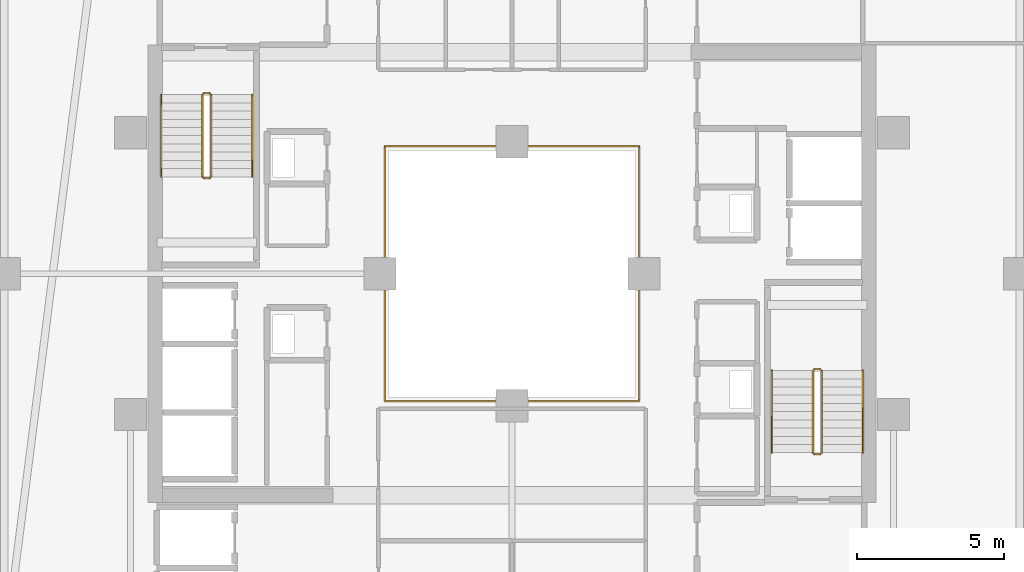
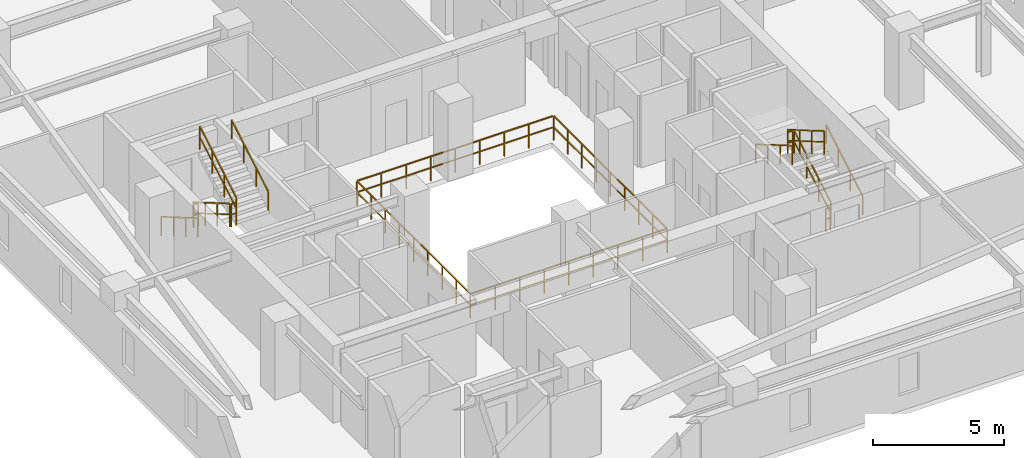
# One storey, part 32 of 33: 13 railings.
"""IFC4 building model written with IfcOpenShell, lengths in metres."""

from ifc_helpers import new_model, si_unit, direction, frame, origin, origin_2d, place, context, subcontext, project, spatial, rectangle, extrude, material, type_object, element, save


model = new_model("IFC4")

# Units and contexts
model_context = context("Model", 3, precision=1e-05, world=origin(), true_north=direction((0.0, 1.0)))
body_context = subcontext(model_context, "Body", "Model", "MODEL_VIEW")
ifc_project = project(units=[si_unit("LENGTHUNIT", "METRE"), si_unit("AREAUNIT", "SQUARE_METRE"), si_unit("VOLUMEUNIT", "CUBIC_METRE"), si_unit("PLANEANGLEUNIT", "RADIAN"), si_unit("MASSUNIT", "GRAM", prefix="KILO")], contexts=[model_context])

# Site, building, storey
site_placement = place(None, origin())
site = spatial("IfcSite", under=ifc_project, at=site_placement, CompositionType="ELEMENT")
building_placement = place(site_placement, origin())
building = spatial("IfcBuilding", under=site, at=building_placement, Name="Thornwick Lancets Civic Towers", CompositionType="ELEMENT")
storey_placement = place(building_placement, frame((0.0, 0.0, 163.5)))
storey = spatial("IfcBuildingStorey", under=building, at=storey_placement, Name="L43", CompositionType="ELEMENT", Elevation=163.5)

# Railings
ifc_material_1 = material(Name="Laminated glass and bronze steel S355", Category="steel")
railing_type_1 = type_object("IfcRailingType", Name="RAIL_ATRIUM_GUARD", PredefinedType="BALUSTRADE", material=ifc_material_1)
railing_1_placement = place(storey_placement, frame((84.159912109375, 22.659912109375, 0.0)))
element("IfcRailing", 1, at=railing_1_placement, inside=storey, type_object=railing_type_1, Name="L43 Tower B Central Atrium Guard Balustrade", PredefinedType="BALUSTRADE", context=body_context, shape_type="SweptSolid", body=[
    extrude(rectangle(XDim=0.048095703125, YDim=0.048095703125, at=origin_2d()), frame((0.0, 0.0, 1.1259765625), z_axis=(1.0, 0.0, 0.0), x_axis=(0.0, 1.0, 0.0)), (0.0, 0.0, 1.0), 8.64892578125),
    extrude(rectangle(XDim=0.0419921875, YDim=0.0419921875, at=origin_2d()), frame((0.03759765625, 0.0, 0.597900390625), z_axis=(1.0, 0.0, 0.0), x_axis=(0.0, 1.0, 0.0)), (0.0, 0.0, 1.0), 1.010009765625),
    extrude(rectangle(XDim=0.0419921875, YDim=0.0419921875, at=origin_2d()), frame((1.12255859375, 0.0, 0.597900390625), z_axis=(1.0, 0.0, 0.0), x_axis=(0.0, 1.0, 0.0)), (0.0, 0.0, 1.0), 1.010009765625),
    extrude(rectangle(XDim=0.0419921875, YDim=0.0419921875, at=origin_2d()), frame((2.20751953125, 0.0, 0.597900390625), z_axis=(1.0, 0.0, 0.0), x_axis=(0.0, 1.0, 0.0)), (0.0, 0.0, 1.0), 1.010009765625),
    extrude(rectangle(XDim=0.0419921875, YDim=0.0419921875, at=origin_2d()), frame((3.29248046875, 0.0, 0.597900390625), z_axis=(1.0, 0.0, 0.0), x_axis=(0.0, 1.0, 0.0)), (0.0, 0.0, 1.0), 1.010009765625),
    extrude(rectangle(XDim=0.0419921875, YDim=0.0419921875, at=origin_2d()), frame((4.377685546875, 0.0, 0.597900390625), z_axis=(1.0, 0.0, 0.0), x_axis=(0.0, 1.0, 0.0)), (0.0, 0.0, 1.0), 1.010009765625),
    extrude(rectangle(XDim=0.0419921875, YDim=0.0419921875, at=origin_2d()), frame((5.462646484375, 0.0, 0.597900390625), z_axis=(1.0, 0.0, 0.0), x_axis=(0.0, 1.0, 0.0)), (0.0, 0.0, 1.0), 1.010009765625),
    extrude(rectangle(XDim=0.0419921875, YDim=0.0419921875, at=origin_2d()), frame((6.547607421875, 0.0, 0.597900390625), z_axis=(1.0, 0.0, 0.0), x_axis=(0.0, 1.0, 0.0)), (0.0, 0.0, 1.0), 1.010009765625),
    extrude(rectangle(XDim=0.0419921875, YDim=0.0419921875, at=origin_2d()), frame((7.632568359375, 0.0, 0.597900390625), z_axis=(1.0, 0.0, 0.0), x_axis=(0.0, 1.0, 0.0)), (0.0, 0.0, 1.0), 1.010009765625),
    extrude(rectangle(XDim=0.048095703125, YDim=0.048095703125, at=origin_2d()), frame((8.68017578125, 0.03125, 1.1259765625), z_axis=(0.0, 1.0, 0.0), x_axis=(-1.0, 0.0, 0.0)), (0.0, 0.0, 1.0), 8.61767578125),
    extrude(rectangle(XDim=0.0419921875, YDim=0.0419921875, at=origin_2d()), frame((8.68017578125, 0.03759765625, 0.597900390625), z_axis=(0.0, 1.0, 0.0), x_axis=(-1.0, 0.0, 0.0)), (0.0, 0.0, 1.0), 1.010009765625),
    extrude(rectangle(XDim=0.0419921875, YDim=0.0419921875, at=origin_2d()), frame((8.68017578125, 1.12255859375, 0.597900390625), z_axis=(0.0, 1.0, 0.0), x_axis=(-1.0, 0.0, 0.0)), (0.0, 0.0, 1.0), 1.010009765625),
    extrude(rectangle(XDim=0.0419921875, YDim=0.0419921875, at=origin_2d()), frame((8.68017578125, 2.20751953125, 0.597900390625), z_axis=(0.0, 1.0, 0.0), x_axis=(-1.0, 0.0, 0.0)), (0.0, 0.0, 1.0), 1.010009765625),
    extrude(rectangle(XDim=0.0419921875, YDim=0.0419921875, at=origin_2d()), frame((8.68017578125, 3.29248046875, 0.597900390625), z_axis=(0.0, 1.0, 0.0), x_axis=(-1.0, 0.0, 0.0)), (0.0, 0.0, 1.0), 1.010009765625),
    extrude(rectangle(XDim=0.0419921875, YDim=0.0419921875, at=origin_2d()), frame((8.68017578125, 4.377685546875, 0.597900390625), z_axis=(0.0, 1.0, 0.0), x_axis=(-1.0, 0.0, 0.0)), (0.0, 0.0, 1.0), 1.010009765625),
    extrude(rectangle(XDim=0.0419921875, YDim=0.0419921875, at=origin_2d()), frame((8.68017578125, 5.462646484375, 0.597900390625), z_axis=(0.0, 1.0, 0.0), x_axis=(-1.0, 0.0, 0.0)), (0.0, 0.0, 1.0), 1.010009765625),
    extrude(rectangle(XDim=0.0419921875, YDim=0.0419921875, at=origin_2d()), frame((8.68017578125, 6.547607421875, 0.597900390625), z_axis=(0.0, 1.0, 0.0), x_axis=(-1.0, 0.0, 0.0)), (0.0, 0.0, 1.0), 1.010009765625),
    extrude(rectangle(XDim=0.0419921875, YDim=0.0419921875, at=origin_2d()), frame((8.68017578125, 7.632568359375, 0.597900390625), z_axis=(0.0, 1.0, 0.0), x_axis=(-1.0, 0.0, 0.0)), (0.0, 0.0, 1.0), 1.010009765625),
    extrude(rectangle(XDim=0.048095703125, YDim=0.048095703125, at=origin_2d()), frame((8.64892578125, 8.68017578125, 1.1259765625), z_axis=(-1.0, 0.0, 0.0), x_axis=(0.0, -1.0, 0.0)), (0.0, 0.0, 1.0), 8.61767578125),
    extrude(rectangle(XDim=0.0419921875, YDim=0.0419921875, at=origin_2d()), frame((8.642578125, 8.68017578125, 0.597900390625), z_axis=(-1.0, 0.0, 0.0), x_axis=(0.0, -1.0, 0.0)), (0.0, 0.0, 1.0), 1.010009765625),
    extrude(rectangle(XDim=0.0419921875, YDim=0.0419921875, at=origin_2d()), frame((7.5576171875, 8.68017578125, 0.597900390625), z_axis=(-1.0, 0.0, 0.0), x_axis=(0.0, -1.0, 0.0)), (0.0, 0.0, 1.0), 1.010009765625),
    extrude(rectangle(XDim=0.0419921875, YDim=0.0419921875, at=origin_2d()), frame((6.47265625, 8.68017578125, 0.597900390625), z_axis=(-1.0, 0.0, 0.0), x_axis=(0.0, -1.0, 0.0)), (0.0, 0.0, 1.0), 1.010009765625),
    extrude(rectangle(XDim=0.0419921875, YDim=0.0419921875, at=origin_2d()), frame((5.3876953125, 8.68017578125, 0.597900390625), z_axis=(-1.0, 0.0, 0.0), x_axis=(0.0, -1.0, 0.0)), (0.0, 0.0, 1.0), 1.010009765625),
    extrude(rectangle(XDim=0.0419921875, YDim=0.0419921875, at=origin_2d()), frame((4.302490234375, 8.68017578125, 0.597900390625), z_axis=(-1.0, 0.0, 0.0), x_axis=(0.0, -1.0, 0.0)), (0.0, 0.0, 1.0), 1.010009765625),
    extrude(rectangle(XDim=0.0419921875, YDim=0.0419921875, at=origin_2d()), frame((3.217529296875, 8.68017578125, 0.597900390625), z_axis=(-1.0, 0.0, 0.0), x_axis=(0.0, -1.0, 0.0)), (0.0, 0.0, 1.0), 1.010009765625),
    extrude(rectangle(XDim=0.0419921875, YDim=0.0419921875, at=origin_2d()), frame((2.132568359375, 8.68017578125, 0.597900390625), z_axis=(-1.0, 0.0, 0.0), x_axis=(0.0, -1.0, 0.0)), (0.0, 0.0, 1.0), 1.010009765625),
    extrude(rectangle(XDim=0.0419921875, YDim=0.0419921875, at=origin_2d()), frame((1.047607421875, 8.68017578125, 0.597900390625), z_axis=(-1.0, 0.0, 0.0), x_axis=(0.0, -1.0, 0.0)), (0.0, 0.0, 1.0), 1.010009765625),
    extrude(rectangle(XDim=0.048095703125, YDim=0.048095703125, at=origin_2d()), frame((0.0, 8.64892578125, 1.1259765625), z_axis=(0.0, -1.0, 0.0), x_axis=(1.0, 0.0, 0.0)), (0.0, 0.0, 1.0), 8.64892578125),
    extrude(rectangle(XDim=0.0419921875, YDim=0.0419921875, at=origin_2d()), frame((0.0, 8.642578125, 0.597900390625), z_axis=(0.0, -1.0, 0.0), x_axis=(1.0, 0.0, 0.0)), (0.0, 0.0, 1.0), 1.010009765625),
    extrude(rectangle(XDim=0.0419921875, YDim=0.0419921875, at=origin_2d()), frame((0.0, 7.5576171875, 0.597900390625), z_axis=(0.0, -1.0, 0.0), x_axis=(1.0, 0.0, 0.0)), (0.0, 0.0, 1.0), 1.010009765625),
    extrude(rectangle(XDim=0.0419921875, YDim=0.0419921875, at=origin_2d()), frame((0.0, 6.47265625, 0.597900390625), z_axis=(0.0, -1.0, 0.0), x_axis=(1.0, 0.0, 0.0)), (0.0, 0.0, 1.0), 1.010009765625),
    extrude(rectangle(XDim=0.0419921875, YDim=0.0419921875, at=origin_2d()), frame((0.0, 5.3876953125, 0.597900390625), z_axis=(0.0, -1.0, 0.0), x_axis=(1.0, 0.0, 0.0)), (0.0, 0.0, 1.0), 1.010009765625),
    extrude(rectangle(XDim=0.0419921875, YDim=0.0419921875, at=origin_2d()), frame((0.0, 4.302490234375, 0.597900390625), z_axis=(0.0, -1.0, 0.0), x_axis=(1.0, 0.0, 0.0)), (0.0, 0.0, 1.0), 1.010009765625),
    extrude(rectangle(XDim=0.0419921875, YDim=0.0419921875, at=origin_2d()), frame((0.0, 3.217529296875, 0.597900390625), z_axis=(0.0, -1.0, 0.0), x_axis=(1.0, 0.0, 0.0)), (0.0, 0.0, 1.0), 1.010009765625),
    extrude(rectangle(XDim=0.0419921875, YDim=0.0419921875, at=origin_2d()), frame((0.0, 2.132568359375, 0.597900390625), z_axis=(0.0, -1.0, 0.0), x_axis=(1.0, 0.0, 0.0)), (0.0, 0.0, 1.0), 1.010009765625),
    extrude(rectangle(XDim=0.0419921875, YDim=0.0419921875, at=origin_2d()), frame((0.0, 1.047607421875, 0.597900390625), z_axis=(0.0, -1.0, 0.0), x_axis=(1.0, 0.0, 0.0)), (0.0, 0.0, 1.0), 1.010009765625),
    extrude(rectangle(XDim=0.0419921875, YDim=0.0419921875, at=origin_2d()), origin(), (0.0, 0.0, 1.0), 1.095703125),
    extrude(rectangle(XDim=0.0419921875, YDim=0.0419921875, at=origin_2d()), frame((1.0849609375, 0.0, 0.0)), (0.0, 0.0, 1.0), 1.095703125),
    extrude(rectangle(XDim=0.0419921875, YDim=0.0419921875, at=origin_2d()), frame((2.169921875, 0.0, 0.0)), (0.0, 0.0, 1.0), 1.095703125),
    extrude(rectangle(XDim=0.0419921875, YDim=0.0419921875, at=origin_2d()), frame((3.255126953125, 0.0, 0.0)), (0.0, 0.0, 1.0), 1.095703125),
    extrude(rectangle(XDim=0.0419921875, YDim=0.0419921875, at=origin_2d()), frame((4.340087890625, 0.0, 0.0)), (0.0, 0.0, 1.0), 1.095703125),
    extrude(rectangle(XDim=0.0419921875, YDim=0.0419921875, at=origin_2d()), frame((5.425048828125, 0.0, 0.0)), (0.0, 0.0, 1.0), 1.095703125),
    extrude(rectangle(XDim=0.0419921875, YDim=0.0419921875, at=origin_2d()), frame((6.51025390625, 0.0, 0.0)), (0.0, 0.0, 1.0), 1.095703125),
    extrude(rectangle(XDim=0.0419921875, YDim=0.0419921875, at=origin_2d()), frame((7.59521484375, 0.0, 0.0)), (0.0, 0.0, 1.0), 1.095703125),
    extrude(rectangle(XDim=0.0419921875, YDim=0.0419921875, at=origin_2d()), frame((8.68017578125, 0.0, 0.0)), (0.0, 0.0, 1.0), 1.095703125),
    extrude(rectangle(XDim=0.0419921875, YDim=0.0419921875, at=origin_2d()), frame((8.68017578125, 1.0849609375, 0.0)), (0.0, 0.0, 1.0), 1.095703125),
    extrude(rectangle(XDim=0.0419921875, YDim=0.0419921875, at=origin_2d()), frame((8.68017578125, 2.169921875, 0.0)), (0.0, 0.0, 1.0), 1.095703125),
    extrude(rectangle(XDim=0.0419921875, YDim=0.0419921875, at=origin_2d()), frame((8.68017578125, 3.255126953125, 0.0)), (0.0, 0.0, 1.0), 1.095703125),
    extrude(rectangle(XDim=0.0419921875, YDim=0.0419921875, at=origin_2d()), frame((8.68017578125, 4.340087890625, 0.0)), (0.0, 0.0, 1.0), 1.095703125),
    extrude(rectangle(XDim=0.0419921875, YDim=0.0419921875, at=origin_2d()), frame((8.68017578125, 5.425048828125, 0.0)), (0.0, 0.0, 1.0), 1.095703125),
    extrude(rectangle(XDim=0.0419921875, YDim=0.0419921875, at=origin_2d()), frame((8.68017578125, 6.51025390625, 0.0)), (0.0, 0.0, 1.0), 1.095703125),
    extrude(rectangle(XDim=0.0419921875, YDim=0.0419921875, at=origin_2d()), frame((8.68017578125, 7.59521484375, 0.0)), (0.0, 0.0, 1.0), 1.095703125),
    extrude(rectangle(XDim=0.0419921875, YDim=0.0419921875, at=origin_2d()), frame((8.68017578125, 8.68017578125, 0.0)), (0.0, 0.0, 1.0), 1.095703125),
    extrude(rectangle(XDim=0.0419921875, YDim=0.0419921875, at=origin_2d()), frame((7.59521484375, 8.68017578125, 0.0)), (0.0, 0.0, 1.0), 1.095703125),
    extrude(rectangle(XDim=0.0419921875, YDim=0.0419921875, at=origin_2d()), frame((6.51025390625, 8.68017578125, 0.0)), (0.0, 0.0, 1.0), 1.095703125),
    extrude(rectangle(XDim=0.0419921875, YDim=0.0419921875, at=origin_2d()), frame((5.425048828125, 8.68017578125, 0.0)), (0.0, 0.0, 1.0), 1.095703125),
    extrude(rectangle(XDim=0.0419921875, YDim=0.0419921875, at=origin_2d()), frame((4.340087890625, 8.68017578125, 0.0)), (0.0, 0.0, 1.0), 1.095703125),
    extrude(rectangle(XDim=0.0419921875, YDim=0.0419921875, at=origin_2d()), frame((3.255126953125, 8.68017578125, 0.0)), (0.0, 0.0, 1.0), 1.095703125),
    extrude(rectangle(XDim=0.0419921875, YDim=0.0419921875, at=origin_2d()), frame((2.169921875, 8.68017578125, 0.0)), (0.0, 0.0, 1.0), 1.095703125),
    extrude(rectangle(XDim=0.0419921875, YDim=0.0419921875, at=origin_2d()), frame((1.0849609375, 8.68017578125, 0.0)), (0.0, 0.0, 1.0), 1.095703125),
    extrude(rectangle(XDim=0.0419921875, YDim=0.0419921875, at=origin_2d()), frame((0.0, 8.68017578125, 0.0)), (0.0, 0.0, 1.0), 1.095703125),
    extrude(rectangle(XDim=0.0419921875, YDim=0.0419921875, at=origin_2d()), frame((0.0, 7.59521484375, 0.0)), (0.0, 0.0, 1.0), 1.095703125),
    extrude(rectangle(XDim=0.0419921875, YDim=0.0419921875, at=origin_2d()), frame((0.0, 6.51025390625, 0.0)), (0.0, 0.0, 1.0), 1.095703125),
    extrude(rectangle(XDim=0.0419921875, YDim=0.0419921875, at=origin_2d()), frame((0.0, 5.425048828125, 0.0)), (0.0, 0.0, 1.0), 1.095703125),
    extrude(rectangle(XDim=0.0419921875, YDim=0.0419921875, at=origin_2d()), frame((0.0, 4.340087890625, 0.0)), (0.0, 0.0, 1.0), 1.095703125),
    extrude(rectangle(XDim=0.0419921875, YDim=0.0419921875, at=origin_2d()), frame((0.0, 3.255126953125, 0.0)), (0.0, 0.0, 1.0), 1.095703125),
    extrude(rectangle(XDim=0.0419921875, YDim=0.0419921875, at=origin_2d()), frame((0.0, 2.169921875, 0.0)), (0.0, 0.0, 1.0), 1.095703125),
    extrude(rectangle(XDim=0.0419921875, YDim=0.0419921875, at=origin_2d()), frame((0.0, 1.0849609375, 0.0)), (0.0, 0.0, 1.0), 1.095703125),
])
ifc_material_2 = material(Name="Brushed stainless steel S355", Category="steel")
railing_type_2 = type_object("IfcRailingType", Name="RAIL_HANDRAIL", PredefinedType="HANDRAIL", material=ifc_material_2)
railing_2_placement = place(storey_placement, frame((100.449951171875, 20.89990234375, 0.16357421875)))
element("IfcRailing", 2, at=railing_2_placement, inside=storey, type_object=railing_type_2, Name="L43 ST-B1 stair handrail 1", PredefinedType="HANDRAIL", context=body_context, shape_type="SweptSolid", body=[
    extrude(rectangle(XDim=0.048095703125, YDim=0.048095703125, at=origin_2d()), frame((0.0, 0.0, 0.8857421875), z_axis=(0.0, 0.863360870873, 0.504586966384), x_axis=(-1.0, 0.0, 0.0)), (0.0, 0.0, 1.0), 3.2431640625),
    extrude(rectangle(XDim=0.0419921875, YDim=0.0419921875, at=origin_2d()), origin(), (0.0, 0.0, 1.0), 0.855712890625),
    extrude(rectangle(XDim=0.0419921875, YDim=0.0419921875, at=origin_2d()), frame((0.0, 0.933349609375, 0.54541015625)), (0.0, 0.0, 1.0), 0.855712890625),
    extrude(rectangle(XDim=0.0419921875, YDim=0.0419921875, at=origin_2d()), frame((0.0, 1.86669921875, 1.091064453125)), (0.0, 0.0, 1.0), 0.855712890625),
    extrude(rectangle(XDim=0.0419921875, YDim=0.0419921875, at=origin_2d()), frame((0.0, 2.800048828125, 1.636474609375)), (0.0, 0.0, 1.0), 0.855712890625),
])
for number, where, name in (
    (3, (97.35009765625, 23.699951171875, 1.963623046875), "L43 ST-B1 stair handrail 2"),
    (4, (76.550048828125, 33.10009765625, 0.16357421875), "L43 ST-B2 stair handrail 1"),
):
    element("IfcRailing", number, at=place(storey_placement, frame(where)), inside=storey, type_object=railing_type_2, Name=name, PredefinedType="HANDRAIL", context=body_context, shape_type="SweptSolid", body=[
        extrude(rectangle(XDim=0.048095703125, YDim=0.048095703125, at=origin_2d()), frame((0.0, 0.0, 0.8857421875), z_axis=(0.0, -0.863360870873, 0.504586966384), x_axis=(1.0, 0.0, 0.0)), (0.0, 0.0, 1.0), 3.2431640625),
        extrude(rectangle(XDim=0.0419921875, YDim=0.0419921875, at=origin_2d()), origin(), (0.0, 0.0, 1.0), 0.855712890625),
        extrude(rectangle(XDim=0.0419921875, YDim=0.0419921875, at=origin_2d()), frame((0.0, -0.933349609375, 0.54541015625)), (0.0, 0.0, 1.0), 0.855712890625),
        extrude(rectangle(XDim=0.0419921875, YDim=0.0419921875, at=origin_2d()), frame((0.0, -1.86669921875, 1.091064453125)), (0.0, 0.0, 1.0), 0.855712890625),
        extrude(rectangle(XDim=0.0419921875, YDim=0.0419921875, at=origin_2d()), frame((0.0, -2.800048828125, 1.636474609375)), (0.0, 0.0, 1.0), 0.855712890625),
    ])
railing_3_placement = place(storey_placement, frame((79.64990234375, 30.300048828125, 1.963623046875)))
element("IfcRailing", 5, at=railing_3_placement, inside=storey, type_object=railing_type_2, Name="L43 ST-B2 stair handrail 2", PredefinedType="HANDRAIL", context=body_context, shape_type="SweptSolid", body=[
    extrude(rectangle(XDim=0.048095703125, YDim=0.048095703125, at=origin_2d()), frame((0.0, 0.0, 0.8857421875), z_axis=(0.0, 0.863360870873, 0.504586966384), x_axis=(-1.0, 0.0, 0.0)), (0.0, 0.0, 1.0), 3.2431640625),
    extrude(rectangle(XDim=0.0419921875, YDim=0.0419921875, at=origin_2d()), origin(), (0.0, 0.0, 1.0), 0.855712890625),
    extrude(rectangle(XDim=0.0419921875, YDim=0.0419921875, at=origin_2d()), frame((0.0, 0.933349609375, 0.54541015625)), (0.0, 0.0, 1.0), 0.855712890625),
    extrude(rectangle(XDim=0.0419921875, YDim=0.0419921875, at=origin_2d()), frame((0.0, 1.86669921875, 1.091064453125)), (0.0, 0.0, 1.0), 0.855712890625),
    extrude(rectangle(XDim=0.0419921875, YDim=0.0419921875, at=origin_2d()), frame((0.0, 2.800048828125, 1.636474609375)), (0.0, 0.0, 1.0), 0.855712890625),
])
ifc_material_3 = material(Name="Steel S355JR", Category="steel")
railing_type_3 = type_object("IfcRailingType", Name="RAIL_STAIR_GUARD", PredefinedType="GUARDRAIL", material=ifc_material_3)
railing_4_placement = place(storey_placement, frame((99.050048828125, 20.89990234375, 0.16357421875)))
element("IfcRailing", 6, at=railing_4_placement, inside=storey, type_object=railing_type_3, Name="L43 ST-B1 stair guard 1", PredefinedType="GUARDRAIL", context=body_context, shape_type="SweptSolid", body=[
    extrude(rectangle(XDim=0.048095703125, YDim=0.048095703125, at=origin_2d()), frame((0.0, 0.0, 1.076171875), z_axis=(0.0, 0.863360870873, 0.504586966384), x_axis=(-1.0, 0.0, 0.0)), (0.0, 0.0, 1.0), 3.2431640625),
    extrude(rectangle(XDim=0.0419921875, YDim=0.0419921875, at=origin_2d()), frame((0.0, 0.032470703125, 0.591064453125), z_axis=(0.0, 0.863360870873, 0.504586966384), x_axis=(-1.0, 0.0, 0.0)), (0.0, 0.0, 1.0), 1.006103515625),
    extrude(rectangle(XDim=0.0419921875, YDim=0.0419921875, at=origin_2d()), frame((0.0, 0.9658203125, 1.136474609375), z_axis=(0.0, 0.863360870873, 0.504586966384), x_axis=(-1.0, 0.0, 0.0)), (0.0, 0.0, 1.0), 1.006103515625),
    extrude(rectangle(XDim=0.0419921875, YDim=0.0419921875, at=origin_2d()), frame((0.0, 1.899169921875, 1.681884765625), z_axis=(0.0, 0.863360870873, 0.504586966384), x_axis=(-1.0, 0.0, 0.0)), (0.0, 0.0, 1.0), 1.006103515625),
    extrude(rectangle(XDim=0.0419921875, YDim=0.0419921875, at=origin_2d()), origin(), (0.0, 0.0, 1.0), 1.0458984375),
    extrude(rectangle(XDim=0.0419921875, YDim=0.0419921875, at=origin_2d()), frame((0.0, 0.933349609375, 0.54541015625)), (0.0, 0.0, 1.0), 1.0458984375),
    extrude(rectangle(XDim=0.0419921875, YDim=0.0419921875, at=origin_2d()), frame((0.0, 1.86669921875, 1.091064453125)), (0.0, 0.0, 1.0), 1.0458984375),
    extrude(rectangle(XDim=0.0419921875, YDim=0.0419921875, at=origin_2d()), frame((0.0, 2.800048828125, 1.636474609375)), (0.0, 0.0, 1.0), 1.0458984375),
])
railing_5_placement = place(storey_placement, frame((99.0, 23.75, 1.800048828125)))
element("IfcRailing", 7, at=railing_5_placement, inside=storey, type_object=railing_type_3, Name="L43 ST-B1 stair guard 2", PredefinedType="GUARDRAIL", context=body_context, shape_type="SweptSolid", body=[
    extrude(rectangle(XDim=0.048095703125, YDim=0.048095703125, at=origin_2d()), frame((0.0, 0.0, 1.076171875), z_axis=(-1.0, 0.0, 0.0), x_axis=(0.0, -1.0, 0.0)), (0.0, 0.0, 1.0), 0.199951171875),
    extrude(rectangle(XDim=0.0419921875, YDim=0.0419921875, at=origin_2d()), frame((-0.03759765625, 0.0, 0.572021484375), z_axis=(-1.0, 0.0, 0.0), x_axis=(0.0, -1.0, 0.0)), (0.0, 0.0, 1.0), 0.125),
    extrude(rectangle(XDim=0.0419921875, YDim=0.0419921875, at=origin_2d()), origin(), (0.0, 0.0, 1.0), 1.0458984375),
    extrude(rectangle(XDim=0.0419921875, YDim=0.0419921875, at=origin_2d()), frame((-0.199951171875, 0.0, 0.0)), (0.0, 0.0, 1.0), 1.0458984375),
])
railing_6_placement = place(storey_placement, frame((98.75, 23.699951171875, 1.963623046875)))
element("IfcRailing", 8, at=railing_6_placement, inside=storey, type_object=railing_type_3, Name="L43 ST-B1 stair guard 3", PredefinedType="GUARDRAIL", context=body_context, shape_type="SweptSolid", body=[
    extrude(rectangle(XDim=0.048095703125, YDim=0.048095703125, at=origin_2d()), frame((0.0, 0.0, 1.076171875), z_axis=(0.0, -0.863360870873, 0.504586966384), x_axis=(1.0, 0.0, 0.0)), (0.0, 0.0, 1.0), 3.2431640625),
    extrude(rectangle(XDim=0.0419921875, YDim=0.0419921875, at=origin_2d()), frame((0.0, -0.032470703125, 0.591064453125), z_axis=(0.0, -0.863360870873, 0.504586966384), x_axis=(1.0, 0.0, 0.0)), (0.0, 0.0, 1.0), 1.006103515625),
    extrude(rectangle(XDim=0.0419921875, YDim=0.0419921875, at=origin_2d()), frame((0.0, -0.9658203125, 1.136474609375), z_axis=(0.0, -0.863360870873, 0.504586966384), x_axis=(1.0, 0.0, 0.0)), (0.0, 0.0, 1.0), 1.006103515625),
    extrude(rectangle(XDim=0.0419921875, YDim=0.0419921875, at=origin_2d()), frame((0.0, -1.899169921875, 1.681884765625), z_axis=(0.0, -0.863360870873, 0.504586966384), x_axis=(1.0, 0.0, 0.0)), (0.0, 0.0, 1.0), 1.006103515625),
    extrude(rectangle(XDim=0.0419921875, YDim=0.0419921875, at=origin_2d()), origin(), (0.0, 0.0, 1.0), 1.0458984375),
    extrude(rectangle(XDim=0.0419921875, YDim=0.0419921875, at=origin_2d()), frame((0.0, -0.933349609375, 0.54541015625)), (0.0, 0.0, 1.0), 1.0458984375),
    extrude(rectangle(XDim=0.0419921875, YDim=0.0419921875, at=origin_2d()), frame((0.0, -1.86669921875, 1.091064453125)), (0.0, 0.0, 1.0), 1.0458984375),
    extrude(rectangle(XDim=0.0419921875, YDim=0.0419921875, at=origin_2d()), frame((0.0, -2.800048828125, 1.636474609375)), (0.0, 0.0, 1.0), 1.0458984375),
])
railing_7_placement = place(storey_placement, frame((99.0, 20.85009765625, 0.0)))
element("IfcRailing", 9, at=railing_7_placement, inside=storey, type_object=railing_type_3, Name="L43 ST-B1 stair guard 4", PredefinedType="GUARDRAIL", context=body_context, shape_type="SweptSolid", body=[
    extrude(rectangle(XDim=0.048095703125, YDim=0.048095703125, at=origin_2d()), frame((0.0, 0.0, 1.076171875), z_axis=(-1.0, 0.0, 0.0), x_axis=(0.0, -1.0, 0.0)), (0.0, 0.0, 1.0), 0.199951171875),
    extrude(rectangle(XDim=0.0419921875, YDim=0.0419921875, at=origin_2d()), frame((-0.03759765625, 0.0, 0.572021484375), z_axis=(-1.0, 0.0, 0.0), x_axis=(0.0, -1.0, 0.0)), (0.0, 0.0, 1.0), 0.125),
    extrude(rectangle(XDim=0.0419921875, YDim=0.0419921875, at=origin_2d()), origin(), (0.0, 0.0, 1.0), 1.0458984375),
    extrude(rectangle(XDim=0.0419921875, YDim=0.0419921875, at=origin_2d()), frame((-0.199951171875, 0.0, 0.0)), (0.0, 0.0, 1.0), 1.0458984375),
])
railing_8_placement = place(storey_placement, frame((77.949951171875, 33.10009765625, 0.16357421875)))
element("IfcRailing", 10, at=railing_8_placement, inside=storey, type_object=railing_type_3, Name="L43 ST-B2 stair guard 1", PredefinedType="GUARDRAIL", context=body_context, shape_type="SweptSolid", body=[
    extrude(rectangle(XDim=0.048095703125, YDim=0.048095703125, at=origin_2d()), frame((0.0, 0.0, 1.076171875), z_axis=(0.0, -0.863360870873, 0.504586966384), x_axis=(1.0, 0.0, 0.0)), (0.0, 0.0, 1.0), 3.2431640625),
    extrude(rectangle(XDim=0.0419921875, YDim=0.0419921875, at=origin_2d()), frame((0.0, -0.032470703125, 0.591064453125), z_axis=(0.0, -0.863360870873, 0.504586966384), x_axis=(1.0, 0.0, 0.0)), (0.0, 0.0, 1.0), 1.006103515625),
    extrude(rectangle(XDim=0.0419921875, YDim=0.0419921875, at=origin_2d()), frame((0.0, -0.9658203125, 1.136474609375), z_axis=(0.0, -0.863360870873, 0.504586966384), x_axis=(1.0, 0.0, 0.0)), (0.0, 0.0, 1.0), 1.006103515625),
    extrude(rectangle(XDim=0.0419921875, YDim=0.0419921875, at=origin_2d()), frame((0.0, -1.899169921875, 1.681884765625), z_axis=(0.0, -0.863360870873, 0.504586966384), x_axis=(1.0, 0.0, 0.0)), (0.0, 0.0, 1.0), 1.006103515625),
    extrude(rectangle(XDim=0.0419921875, YDim=0.0419921875, at=origin_2d()), origin(), (0.0, 0.0, 1.0), 1.0458984375),
    extrude(rectangle(XDim=0.0419921875, YDim=0.0419921875, at=origin_2d()), frame((0.0, -0.933349609375, 0.54541015625)), (0.0, 0.0, 1.0), 1.0458984375),
    extrude(rectangle(XDim=0.0419921875, YDim=0.0419921875, at=origin_2d()), frame((0.0, -1.86669921875, 1.091064453125)), (0.0, 0.0, 1.0), 1.0458984375),
    extrude(rectangle(XDim=0.0419921875, YDim=0.0419921875, at=origin_2d()), frame((0.0, -2.800048828125, 1.636474609375)), (0.0, 0.0, 1.0), 1.0458984375),
])
railing_9_placement = place(storey_placement, frame((78.0, 30.25, 1.800048828125)))
element("IfcRailing", 11, at=railing_9_placement, inside=storey, type_object=railing_type_3, Name="L43 ST-B2 stair guard 2", PredefinedType="GUARDRAIL", context=body_context, shape_type="SweptSolid", body=[
    extrude(rectangle(XDim=0.048095703125, YDim=0.048095703125, at=origin_2d()), frame((0.0, 0.0, 1.076171875), z_axis=(1.0, 0.0, 0.0), x_axis=(0.0, 1.0, 0.0)), (0.0, 0.0, 1.0), 0.199951171875),
    extrude(rectangle(XDim=0.0419921875, YDim=0.0419921875, at=origin_2d()), frame((0.03759765625, 0.0, 0.572021484375), z_axis=(1.0, 0.0, 0.0), x_axis=(0.0, 1.0, 0.0)), (0.0, 0.0, 1.0), 0.125),
    extrude(rectangle(XDim=0.0419921875, YDim=0.0419921875, at=origin_2d()), origin(), (0.0, 0.0, 1.0), 1.0458984375),
    extrude(rectangle(XDim=0.0419921875, YDim=0.0419921875, at=origin_2d()), frame((0.199951171875, 0.0, 0.0)), (0.0, 0.0, 1.0), 1.0458984375),
])
railing_10_placement = place(storey_placement, frame((78.25, 30.300048828125, 1.963623046875)))
element("IfcRailing", 12, at=railing_10_placement, inside=storey, type_object=railing_type_3, Name="L43 ST-B2 stair guard 3", PredefinedType="GUARDRAIL", context=body_context, shape_type="SweptSolid", body=[
    extrude(rectangle(XDim=0.048095703125, YDim=0.048095703125, at=origin_2d()), frame((0.0, 0.0, 1.076171875), z_axis=(0.0, 0.863360870873, 0.504586966384), x_axis=(-1.0, 0.0, 0.0)), (0.0, 0.0, 1.0), 3.2431640625),
    extrude(rectangle(XDim=0.0419921875, YDim=0.0419921875, at=origin_2d()), frame((0.0, 0.032470703125, 0.591064453125), z_axis=(0.0, 0.863360870873, 0.504586966384), x_axis=(-1.0, 0.0, 0.0)), (0.0, 0.0, 1.0), 1.006103515625),
    extrude(rectangle(XDim=0.0419921875, YDim=0.0419921875, at=origin_2d()), frame((0.0, 0.9658203125, 1.136474609375), z_axis=(0.0, 0.863360870873, 0.504586966384), x_axis=(-1.0, 0.0, 0.0)), (0.0, 0.0, 1.0), 1.006103515625),
    extrude(rectangle(XDim=0.0419921875, YDim=0.0419921875, at=origin_2d()), frame((0.0, 1.899169921875, 1.681884765625), z_axis=(0.0, 0.863360870873, 0.504586966384), x_axis=(-1.0, 0.0, 0.0)), (0.0, 0.0, 1.0), 1.006103515625),
    extrude(rectangle(XDim=0.0419921875, YDim=0.0419921875, at=origin_2d()), origin(), (0.0, 0.0, 1.0), 1.0458984375),
    extrude(rectangle(XDim=0.0419921875, YDim=0.0419921875, at=origin_2d()), frame((0.0, 0.933349609375, 0.54541015625)), (0.0, 0.0, 1.0), 1.0458984375),
    extrude(rectangle(XDim=0.0419921875, YDim=0.0419921875, at=origin_2d()), frame((0.0, 1.86669921875, 1.091064453125)), (0.0, 0.0, 1.0), 1.0458984375),
    extrude(rectangle(XDim=0.0419921875, YDim=0.0419921875, at=origin_2d()), frame((0.0, 2.800048828125, 1.636474609375)), (0.0, 0.0, 1.0), 1.0458984375),
])
railing_11_placement = place(storey_placement, frame((78.0, 33.14990234375, 0.0)))
element("IfcRailing", 13, at=railing_11_placement, inside=storey, type_object=railing_type_3, Name="L43 ST-B2 stair guard 4", PredefinedType="GUARDRAIL", context=body_context, shape_type="SweptSolid", body=[
    extrude(rectangle(XDim=0.048095703125, YDim=0.048095703125, at=origin_2d()), frame((0.0, 0.0, 1.076171875), z_axis=(1.0, 0.0, 0.0), x_axis=(0.0, 1.0, 0.0)), (0.0, 0.0, 1.0), 0.199951171875),
    extrude(rectangle(XDim=0.0419921875, YDim=0.0419921875, at=origin_2d()), frame((0.03759765625, 0.0, 0.572021484375), z_axis=(1.0, 0.0, 0.0), x_axis=(0.0, 1.0, 0.0)), (0.0, 0.0, 1.0), 0.125),
    extrude(rectangle(XDim=0.0419921875, YDim=0.0419921875, at=origin_2d()), origin(), (0.0, 0.0, 1.0), 1.0458984375),
    extrude(rectangle(XDim=0.0419921875, YDim=0.0419921875, at=origin_2d()), frame((0.199951171875, 0.0, 0.0)), (0.0, 0.0, 1.0), 1.0458984375),
])

save(model, "model.ifc")
